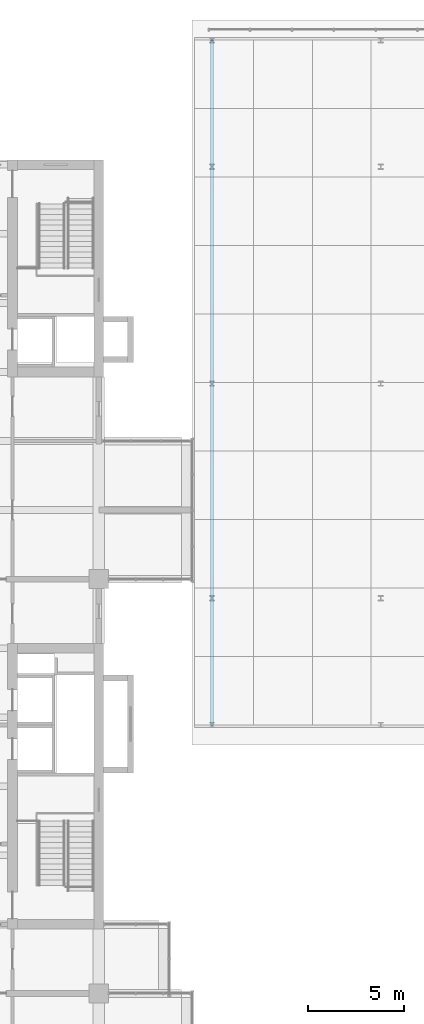
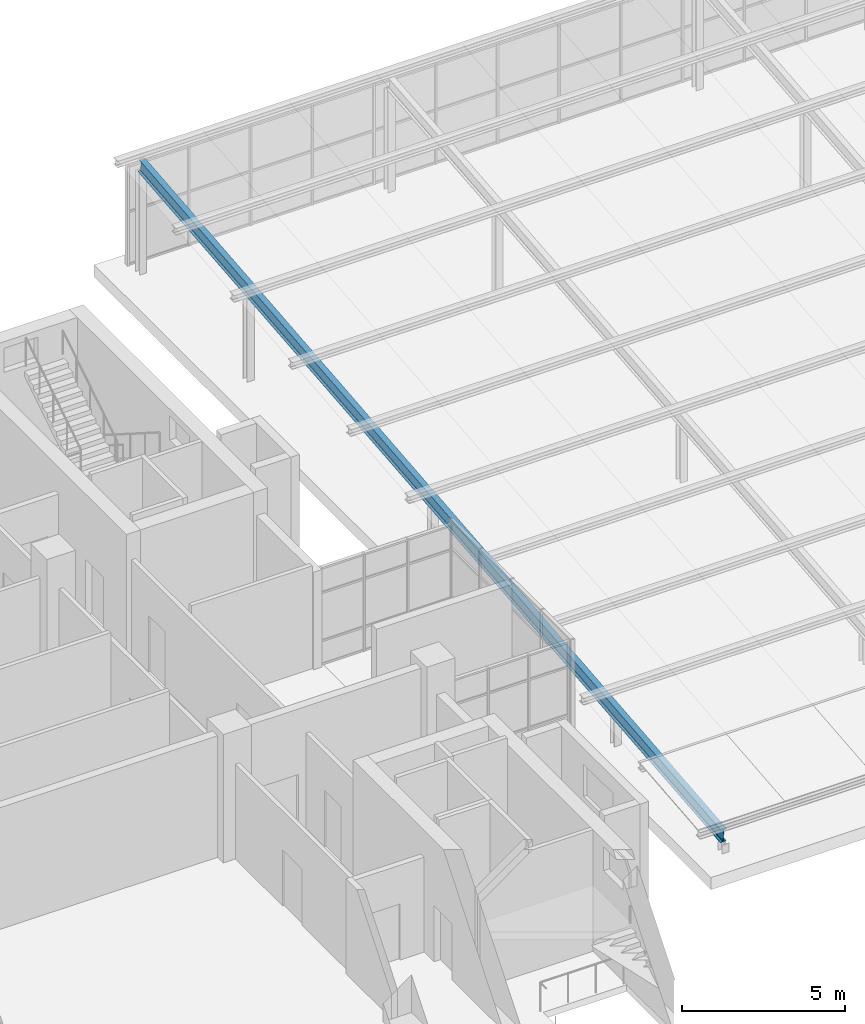
# One storey, part 17 of 44: 1 member.
"""IFC4 building model written with IfcOpenShell, lengths in metres."""

from ifc_helpers import new_model, si_unit, direction, frame, origin, origin_2d, place, context, subcontext, project, spatial, i_section, extrude, material, material_profile, profile_set, type_object, element, save


model = new_model("IFC4")

# Units and contexts
model_context = context("Model", 3, precision=1e-05, world=origin(), true_north=direction((0.0, 1.0)))
body_context = subcontext(model_context, "Body", "Model", "MODEL_VIEW")
ifc_project = project(units=[si_unit("LENGTHUNIT", "METRE"), si_unit("AREAUNIT", "SQUARE_METRE"), si_unit("VOLUMEUNIT", "CUBIC_METRE"), si_unit("PLANEANGLEUNIT", "RADIAN"), si_unit("MASSUNIT", "GRAM", prefix="KILO")], contexts=[model_context])

# Site, building, storey
site_placement = place(None, origin())
site = spatial("IfcSite", under=ifc_project, at=site_placement, CompositionType="ELEMENT")
building_placement = place(site_placement, origin())
building = spatial("IfcBuilding", under=site, at=building_placement, Name="Basin Gate Institute", CompositionType="ELEMENT")
storey_placement = place(building_placement, frame((0.0, 0.0, 27.0)))
storey = spatial("IfcBuildingStorey", under=building, at=storey_placement, Name="L05", CompositionType="ELEMENT", Elevation=27.0)

# Member
ifc_material = material(Name="Structural steel SN490", Category="steel")
ifc_material_profile = material_profile(ifc_material, i_section(OverallWidth=0.199951171875, OverallDepth=0.5, WebThickness=0.010009765625, FlangeThickness=0.01611328125, FilletRadius=0.02001953125, at=origin_2d()), Name="H500x200")
ifc_profile_set = profile_set([ifc_material_profile], Name="Structural steel SN490")
member_type = type_object("IfcMemberType", Name="Umbrella rafter SB1 R120", PredefinedType="RAFTER", material=ifc_profile_set)
member_placement = place(storey_placement, frame((124.699951171875, 70.699951171875, 0.566650390625), z_axis=(0.0, 0.995324527335, 0.096587190073), x_axis=(-1.0, 0.0, 0.0)))
element("IfcMember", 1, at=member_placement, inside=storey, type_object=member_type, material=ifc_profile_set, Name="Umbrella roof rafter 1", PredefinedType="RAFTER", context=body_context, shape_type="SweptSolid", body=[
    extrude(i_section(OverallWidth=0.199951171875, OverallDepth=0.5, WebThickness=0.010009765625, FlangeThickness=0.01611328125, FilletRadius=0.02001953125, at=origin_2d()), origin(), (0.0, 0.0, 1.0), 35.86767578125),
])

save(model, "model.ifc")
